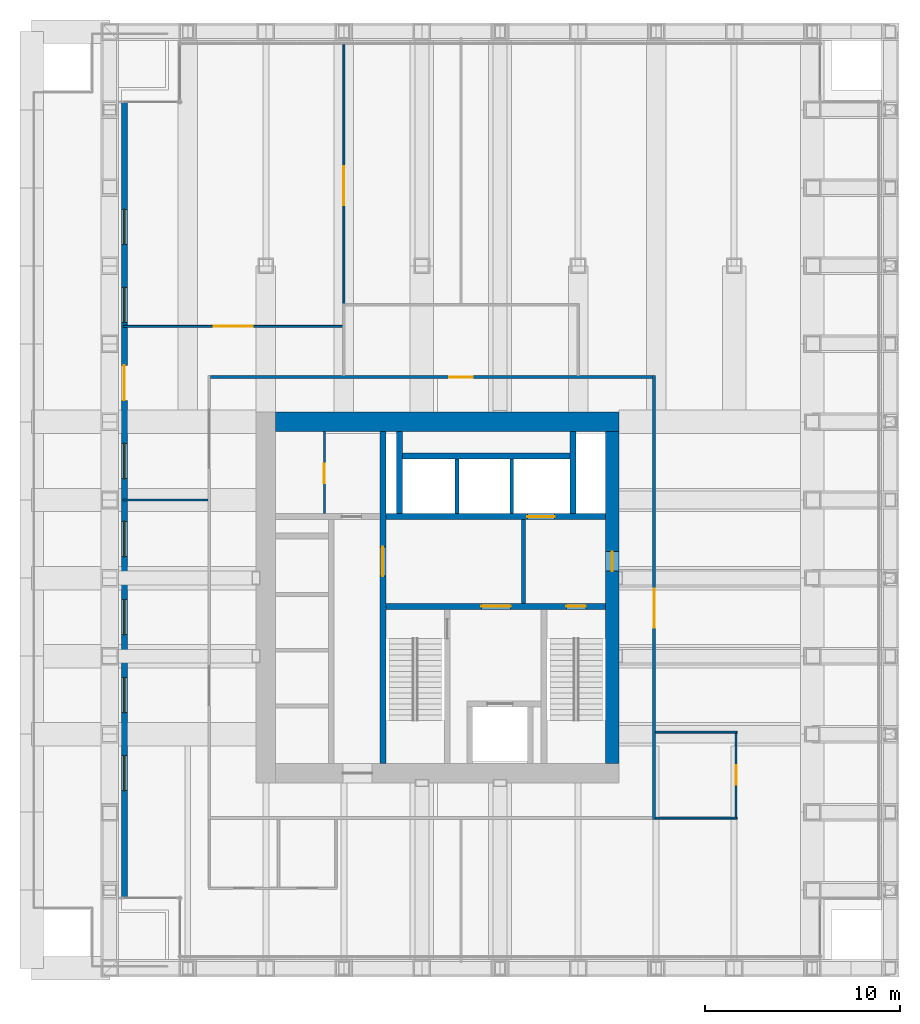
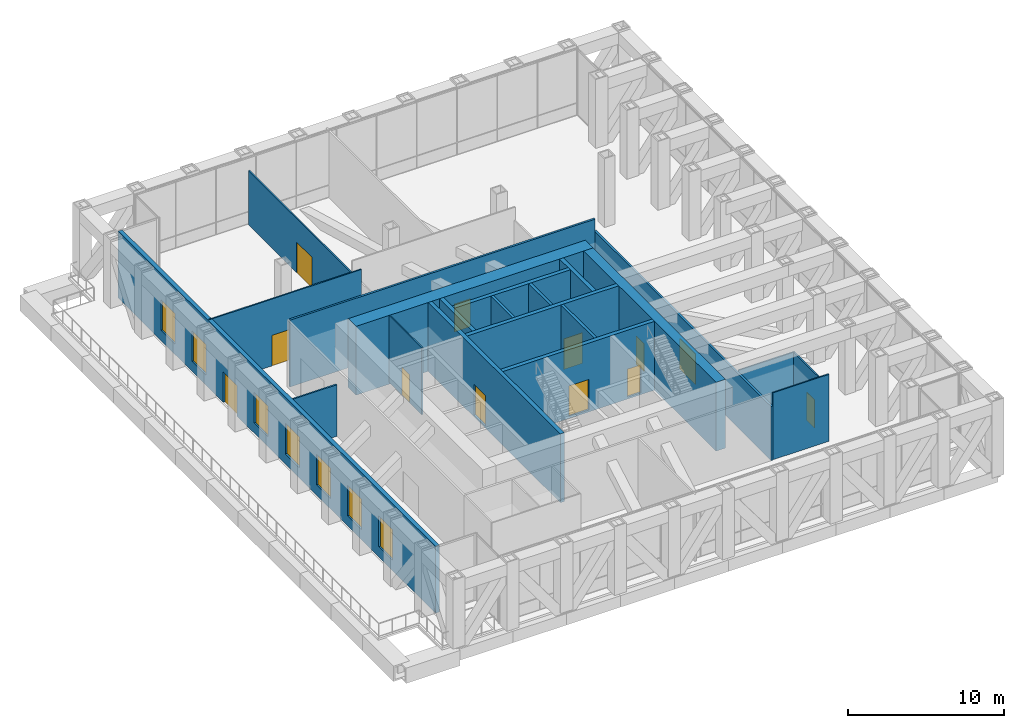
# One storey, part 10 of 12: 21 walls, 12 doors, 7 windows, 19 openings.
"""IFC4 building model written with IfcOpenShell, lengths in metres."""

from ifc_helpers import new_model, si_unit, direction, frame, frame_2d, origin, place, context, subcontext, project, spatial, rectangle, extrude, material, layer, layer_set, type_object, element, fill, save


model = new_model("IFC4")

# Units and contexts
model_context = context("Model", 3, precision=1e-05, world=origin(), true_north=direction((0.0, 1.0)))
body_context = subcontext(model_context, "Body", "Model", "MODEL_VIEW")
ifc_project = project(units=[si_unit("LENGTHUNIT", "METRE"), si_unit("AREAUNIT", "SQUARE_METRE"), si_unit("VOLUMEUNIT", "CUBIC_METRE"), si_unit("PLANEANGLEUNIT", "RADIAN"), si_unit("MASSUNIT", "GRAM", prefix="KILO")], contexts=[model_context])

# Site, building, storey
site_placement = place(None, origin())
site = spatial("IfcSite", under=ifc_project, at=site_placement, CompositionType="ELEMENT")
building_placement = place(site_placement, origin())
building = spatial("IfcBuilding", under=site, at=building_placement, Name="Rimbunsela Tower", CompositionType="ELEMENT")
storey_placement = place(building_placement, frame((0.0, 0.0, 203.800048828125)))
storey = spatial("IfcBuildingStorey", under=building, at=storey_placement, Name="L49", CompositionType="ELEMENT", Elevation=203.800048828125)

# Wall, opening, door
ifc_material_1 = material(Name="Concrete fc' 80 MPa", Category="concrete")
ifc_layer_1 = layer(ifc_material_1, 0.300048828125)
ifc_layer_set_1 = layer_set([ifc_layer_1], Name="Core internal wall 300")
wall_type_1 = type_object("IfcWallType", Name="Core internal wall 300", PredefinedType="SHEAR", material=ifc_layer_set_1)
wall_1_placement = place(storey_placement, frame((24.0, 18.5, -0.150146484375), z_axis=(0.0, 0.0, 1.0), x_axis=(0.0, 1.0, 0.0)))
wall_1 = element("IfcWall", 1, at=wall_1_placement, inside=storey, type_object=wall_type_1, Name="Core wall at stair A", PredefinedType="SHEAR", context=body_context, shape_type="SweptSolid", body=[
    extrude(rectangle(XDim=17.0, YDim=0.300048828125, at=frame_2d((8.5, 0.0))), origin(), (0.0, 0.0, 1.0), 5.400146484375),
])
opening_1_placement = place(wall_1_placement, frame((9.60009765625, 0.0, 0.14990234375)))
opening_1 = element("IfcOpeningElement", 2, at=opening_1_placement, cuts=wall_1, Name="Opening D03", PredefinedType="OPENING", context=body_context, shape_type="SweptSolid", body=[
    extrude(rectangle(XDim=1.5, YDim=2.39990234375, at=frame_2d((0.75, 1.199951171875))), frame((0.0, 0.159912109375, 0.0), z_axis=(0.0, -1.0, 0.0), x_axis=(1.0, 0.0, 0.0)), (0.0, 0.0, 1.0), 0.320068359375),
])
ifc_material_2 = material(Name="Steel door, fire rated", Category="steel")
door_type_1 = type_object("IfcDoorType", Name="Core lobby door 1500", OperationType="DOUBLE_DOOR_DOUBLE_SWING", PredefinedType="DOOR", material=ifc_material_2)
door_1_placement = place(opening_1_placement, origin())
door_1 = element("IfcDoor", 3, at=door_1_placement, inside=storey, type_object=door_type_1, Name="West lobby door", OperationType="DOUBLE_DOOR_DOUBLE_SWING", OverallHeight=2.39990234375, OverallWidth=1.5, PredefinedType="DOOR", context=body_context, shape_type="SweptSolid", body=[
    extrude(rectangle(XDim=1.5, YDim=2.39990234375, at=frame_2d((0.75, 1.199951171875))), frame((0.0, 0.02490234375, 0.0), z_axis=(0.0, -1.0, 0.0), x_axis=(1.0, 0.0, 0.0)), (0.0, 0.0, 1.0), 0.050048828125),
])
fill(opening_1, door_1)

# Wall, openings, doors
wall_2_placement = place(storey_placement, frame((24.14990234375, 26.550048828125, -0.150146484375), z_axis=(0.0, 0.0, 1.0), x_axis=(1.0, 0.0, 0.0)))
wall_2 = element("IfcWall", 4, at=wall_2_placement, inside=storey, type_object=wall_type_1, Name="Core wall lobby south", PredefinedType="SHEAR", context=body_context, shape_type="SweptSolid", body=[
    extrude(rectangle(XDim=11.25, YDim=0.300048828125, at=frame_2d((5.625, 0.0))), origin(), (0.0, 0.0, 1.0), 5.400146484375),
])
opening_2_placement = place(wall_2_placement, frame((9.25, 0.0, 0.14990234375)))
opening_2 = element("IfcOpeningElement", 5, at=opening_2_placement, cuts=wall_2, Name="Opening D01", PredefinedType="OPENING", context=body_context, shape_type="SweptSolid", body=[
    extrude(rectangle(XDim=1.0, YDim=2.199951171875, at=frame_2d((0.5, 1.10009765625))), frame((0.0, 0.159912109375, 0.0), z_axis=(0.0, -1.0, 0.0), x_axis=(1.0, 0.0, 0.0)), (0.0, 0.0, 1.0), 0.320068359375),
])
opening_3_placement = place(wall_2_placement, frame((4.89990234375, 0.0, 0.14990234375)))
opening_3 = element("IfcOpeningElement", 6, at=opening_3_placement, cuts=wall_2, Name="Opening D03", PredefinedType="OPENING", context=body_context, shape_type="SweptSolid", body=[
    extrude(rectangle(XDim=1.5, YDim=2.39990234375, at=frame_2d((0.75, 1.199951171875))), frame((0.0, 0.159912109375, 0.0), z_axis=(0.0, -1.0, 0.0), x_axis=(1.0, 0.0, 0.0)), (0.0, 0.0, 1.0), 0.320068359375),
])
door_2_placement = place(opening_3_placement, origin())
door_2 = element("IfcDoor", 7, at=door_2_placement, inside=storey, type_object=door_type_1, Name="Firefighting lobby door", OperationType="DOUBLE_DOOR_DOUBLE_SWING", OverallHeight=2.39990234375, OverallWidth=1.5, PredefinedType="DOOR", context=body_context, shape_type="SweptSolid", body=[
    extrude(rectangle(XDim=1.5, YDim=2.39990234375, at=frame_2d((0.75, 1.199951171875))), frame((0.0, 0.02490234375, 0.0), z_axis=(0.0, -1.0, 0.0), x_axis=(1.0, 0.0, 0.0)), (0.0, 0.0, 1.0), 0.050048828125),
])
fill(opening_3, door_2)
ifc_material_3 = material(Name="Steel door, fire rated", Category="steel")
door_type_2 = type_object("IfcDoorType", Name="Stair door 1000", OperationType="SINGLE_SWING_RIGHT", PredefinedType="DOOR", material=ifc_material_3)
door_3_placement = place(opening_2_placement, frame((1.0, 0.0, 0.0), z_axis=(0.0, 0.0, 1.0), x_axis=(-1.0, 0.0, 0.0)))
door_3 = element("IfcDoor", 8, at=door_3_placement, inside=storey, type_object=door_type_2, Name="Stair B door", OperationType="SINGLE_SWING_RIGHT", OverallHeight=2.199951171875, OverallWidth=1.0, PredefinedType="DOOR", context=body_context, shape_type="SweptSolid", body=[
    extrude(rectangle(XDim=1.0, YDim=2.199951171875, at=frame_2d((0.5, 1.10009765625))), frame((0.0, 0.02490234375, 0.0), z_axis=(0.0, -1.0, 0.0), x_axis=(1.0, 0.0, 0.0)), (0.0, 0.0, 1.0), 0.050048828125),
])
fill(opening_2, door_3)

# Wall, opening, door
wall_3_placement = place(storey_placement, frame((24.14990234375, 31.14990234375, -0.150146484375), z_axis=(0.0, 0.0, 1.0), x_axis=(1.0, 0.0, 0.0)))
wall_3 = element("IfcWall", 9, at=wall_3_placement, inside=storey, type_object=wall_type_1, Name="Lift shaft front north", PredefinedType="SHEAR", context=body_context, shape_type="SweptSolid", body=[
    extrude(rectangle(XDim=11.25, YDim=0.300048828125, at=frame_2d((5.625, 0.0))), origin(), (0.0, 0.0, 1.0), 5.400146484375),
])
opening_4_placement = place(wall_3_placement, frame((7.25, 0.0, 0.14990234375)))
opening_4 = element("IfcOpeningElement", 10, at=opening_4_placement, cuts=wall_3, Name="Opening LD3", PredefinedType="OPENING", context=body_context, shape_type="SweptSolid", body=[
    extrude(rectangle(XDim=1.39990234375, YDim=2.39990234375, at=frame_2d((0.699951171875, 1.199951171875))), frame((0.0, 0.159912109375, 0.0), z_axis=(0.0, -1.0, 0.0), x_axis=(1.0, 0.0, 0.0)), (0.0, 0.0, 1.0), 0.320068359375),
])
ifc_material_4 = material(Name="Steel door, fire rated", Category="steel")
door_type_3 = type_object("IfcDoorType", Name="Lift landing door 1400", OperationType="DOUBLE_DOOR_SLIDING", PredefinedType="DOOR", material=ifc_material_4)
door_4_placement = place(opening_4_placement, origin())
door_4 = element("IfcDoor", 11, at=door_4_placement, inside=storey, type_object=door_type_3, Name="Lift landing door FL2", OperationType="DOUBLE_DOOR_SLIDING", OverallHeight=2.39990234375, OverallWidth=1.39990234375, PredefinedType="DOOR", context=body_context, shape_type="SweptSolid", body=[
    extrude(rectangle(XDim=1.39990234375, YDim=2.39990234375, at=frame_2d((0.699951171875, 1.199951171875))), frame((0.0, 0.02490234375, 0.0), z_axis=(0.0, -1.0, 0.0), x_axis=(1.0, 0.0, 0.0)), (0.0, 0.0, 1.0), 0.050048828125),
])
fill(opening_4, door_4)

# Walls
for number, where, z_axis, x_axis, name in (
    (12, (24.85009765625, 31.300048828125, -0.150146484375), (0.0, 0.0, 1.0), (0.0, 1.0, 0.0), "Riser wall"),
    (13, (33.75, 31.300048828125, -0.150146484375), (0.0, 0.0, 1.0), (0.0, 1.0, 0.0), "Riser wall"),
):
    element("IfcWall", number, at=place(storey_placement, frame(where, z_axis=z_axis, x_axis=x_axis)), inside=storey, type_object=wall_type_1, Name=name, PredefinedType="SHEAR", context=body_context, shape_type="SweptSolid", body=[
        extrude(rectangle(XDim=4.199951171875, YDim=0.300048828125, at=frame_2d((2.10009765625, 0.0))), origin(), (0.0, 0.0, 1.0), 5.400146484375),
    ])
wall_4_placement = place(storey_placement, frame((25.0, 34.25, -0.150146484375), z_axis=(0.0, 0.0, 1.0), x_axis=(1.0, 0.0, 0.0)))
element("IfcWall", 14, at=wall_4_placement, inside=storey, type_object=wall_type_1, Name="Lift shaft rear north", PredefinedType="SHEAR", context=body_context, shape_type="SweptSolid", body=[
    extrude(rectangle(XDim=8.60009765625, YDim=0.300048828125, at=frame_2d((4.300048828125, 0.0))), origin(), (0.0, 0.0, 1.0), 5.400146484375),
])

# Wall, opening, door
ifc_material_5 = material(Name="Concrete blockwork", Category="masonry")
ifc_layer_2 = layer(ifc_material_5, 0.10009765625)
ifc_layer_set_2 = layer_set([ifc_layer_2], Name="Core room partition 100")
wall_type_2 = type_object("IfcWallType", Name="Core room partition 100", PredefinedType="PARTITIONING", material=ifc_layer_set_2)
wall_5_placement = place(storey_placement, frame((21.0, 31.300048828125, 0.0), z_axis=(0.0, 0.0, 1.0), x_axis=(0.0, 1.0, 0.0)))
wall_5 = element("IfcWall", 15, at=wall_5_placement, inside=storey, type_object=wall_type_2, Name="Equipment store wall", PredefinedType="PARTITIONING", context=body_context, shape_type="SweptSolid", body=[
    extrude(rectangle(XDim=4.199951171875, YDim=0.10009765625, at=frame_2d((2.10009765625, 0.0))), origin(), (0.0, 0.0, 1.0), 5.25),
])
opening_5_placement = place(wall_5_placement, frame((1.550048828125, 0.0, 0.0)))
opening_5 = element("IfcOpeningElement", 16, at=opening_5_placement, cuts=wall_5, Name="Opening D19", PredefinedType="OPENING", context=body_context, shape_type="SweptSolid", body=[
    extrude(rectangle(XDim=1.0, YDim=2.199951171875, at=frame_2d((0.5, 1.10009765625))), frame((0.0, 0.06005859375, 0.0), z_axis=(0.0, -1.0, 0.0), x_axis=(1.0, 0.0, 0.0)), (0.0, 0.0, 1.0), 0.1201171875),
])
ifc_material_6 = material(Name="Steel door, fire rated", Category="steel")
door_type_4 = type_object("IfcDoorType", Name="Service door 1000 fire rated", OperationType="SINGLE_SWING_LEFT", PredefinedType="DOOR", material=ifc_material_6)
door_5_placement = place(opening_5_placement, origin())
door_5 = element("IfcDoor", 17, at=door_5_placement, inside=storey, type_object=door_type_4, Name="Equipment store door", OperationType="SINGLE_SWING_LEFT", OverallHeight=2.199951171875, OverallWidth=1.0, PredefinedType="DOOR", context=body_context, shape_type="SweptSolid", body=[
    extrude(rectangle(XDim=1.0, YDim=2.199951171875, at=frame_2d((0.5, 1.10009765625))), frame((0.0, 0.02490234375, 0.0), z_axis=(0.0, -1.0, 0.0), x_axis=(1.0, 0.0, 0.0)), (0.0, 0.0, 1.0), 0.050048828125),
])
fill(opening_5, door_5)

# Wall
ifc_material_7 = material(Name="Concrete fc' 80 MPa", Category="concrete")
ifc_layer_3 = layer(ifc_material_7, 1.0)
ifc_layer_set_3 = layer_set([ifc_layer_3], Name="Core wall 1000")
wall_type_3 = type_object("IfcWallType", Name="Core wall 1000", PredefinedType="SHEAR", material=ifc_layer_set_3)
wall_6_placement = place(storey_placement, frame((18.5, 36.0, -0.150146484375), z_axis=(0.0, 0.0, 1.0), x_axis=(1.0, 0.0, 0.0)))
element("IfcWall", 18, at=wall_6_placement, inside=storey, type_object=wall_type_3, Name="Core wall north", PredefinedType="SHEAR", context=body_context, shape_type="SweptSolid", body=[
    extrude(rectangle(XDim=17.60009765625, YDim=1.0, at=frame_2d((8.800048828125, 0.0))), origin(), (0.0, 0.0, 1.0), 5.400146484375),
])

# Wall, opening, door
ifc_material_8 = material(Name="Concrete fc' 80 MPa", Category="concrete")
ifc_layer_4 = layer(ifc_material_8, 0.699951171875)
ifc_layer_set_4 = layer_set([ifc_layer_4], Name="Core wall 700 east")
wall_type_4 = type_object("IfcWallType", Name="Core wall 700 east", PredefinedType="SHEAR", material=ifc_layer_set_4)
wall_7_placement = place(storey_placement, frame((35.75, 18.5, -0.150146484375), z_axis=(0.0, 0.0, 1.0), x_axis=(0.0, 1.0, 0.0)))
wall_7 = element("IfcWall", 19, at=wall_7_placement, inside=storey, type_object=wall_type_4, Name="Core wall east", PredefinedType="SHEAR", context=body_context, shape_type="SweptSolid", body=[
    extrude(rectangle(XDim=17.0, YDim=0.699951171875, at=frame_2d((8.5, 0.0))), origin(), (0.0, 0.0, 1.0), 5.400146484375),
])
opening_6_placement = place(wall_7_placement, frame((9.85009765625, 0.0, 0.14990234375)))
opening_6 = element("IfcOpeningElement", 20, at=opening_6_placement, cuts=wall_7, Name="Opening D01", PredefinedType="OPENING", context=body_context, shape_type="SweptSolid", body=[
    extrude(rectangle(XDim=1.0, YDim=2.199951171875, at=frame_2d((0.5, 1.10009765625))), frame((0.0, 0.35986328125, 0.0), z_axis=(0.0, -1.0, 0.0), x_axis=(1.0, 0.0, 0.0)), (0.0, 0.0, 1.0), 0.719970703125),
])
door_6_placement = place(opening_6_placement, origin())
door_6 = element("IfcDoor", 21, at=door_6_placement, inside=storey, type_object=door_type_2, Name="Firefighting lobby 2 door", OperationType="SINGLE_SWING_RIGHT", OverallHeight=2.199951171875, OverallWidth=1.0, PredefinedType="DOOR", context=body_context, shape_type="SweptSolid", body=[
    extrude(rectangle(XDim=1.0, YDim=2.199951171875, at=frame_2d((0.5, 1.10009765625))), frame((0.0, 0.02490234375, 0.0), z_axis=(0.0, -1.0, 0.0), x_axis=(1.0, 0.0, 0.0)), (0.0, 0.0, 1.0), 0.050048828125),
])
fill(opening_6, door_6)

# Walls
ifc_material_9 = material(Name="Concrete blockwork", Category="masonry")
ifc_layer_5 = layer(ifc_material_9, 0.199951171875)
ifc_layer_set_5 = layer_set([ifc_layer_5], Name="Lift shaft wall 200")
wall_type_5 = type_object("IfcWallType", Name="Lift shaft wall 200", PredefinedType="SOLIDWALL", material=ifc_layer_set_5)
for number, where, z_axis, x_axis, name in (
    (22, (27.800048828125, 31.300048828125, -0.150146484375), (0.0, 0.0, 1.0), (0.0, 1.0, 0.0), "Lift shaft separation"),
    (23, (30.60009765625, 31.300048828125, -0.150146484375), (0.0, 0.0, 1.0), (0.0, 1.0, 0.0), "Lift shaft separation"),
):
    element("IfcWall", number, at=place(storey_placement, frame(where, z_axis=z_axis, x_axis=x_axis)), inside=storey, type_object=wall_type_5, Name=name, PredefinedType="SOLIDWALL", context=body_context, shape_type="SweptSolid", body=[
        extrude(rectangle(XDim=2.800048828125, YDim=0.199951171875, at=frame_2d((1.39990234375, 0.0))), origin(), (0.0, 0.0, 1.0), 5.400146484375),
    ])
wall_8_placement = place(storey_placement, frame((31.199951171875, 26.699951171875, 0.0), z_axis=(0.0, 0.0, 1.0), x_axis=(0.0, 1.0, 0.0)))
element("IfcWall", 24, at=wall_8_placement, inside=storey, type_object=wall_type_5, Name="Firefighting lobby 2 wall", PredefinedType="SOLIDWALL", context=body_context, shape_type="SweptSolid", body=[
    extrude(rectangle(XDim=4.300048828125, YDim=0.199951171875, at=frame_2d((2.14990234375, 0.0))), origin(), (0.0, 0.0, 1.0), 5.25),
])
ifc_material_10 = material(Name="Gypsum board on steel studs", Category="steel")
ifc_layer_6 = layer(ifc_material_10, 0.10009765625)
ifc_layer_set_6 = layer_set([ifc_layer_6], Name="Office partition 100")
wall_type_6 = type_object("IfcWallType", Name="Office partition 100", PredefinedType="PARTITIONING", material=ifc_layer_set_6)
wall_9_placement = place(storey_placement, frame((37.97509765625, 15.699951171875, 0.0), z_axis=(0.0, 0.0, 1.0), x_axis=(1.0, 0.0, 0.0)))
element("IfcWall", 25, at=wall_9_placement, inside=storey, type_object=wall_type_6, Name="Office partition", PredefinedType="PARTITIONING", context=body_context, shape_type="SweptSolid", body=[
    extrude(rectangle(XDim=4.1748046875, YDim=0.10009765625, at=frame_2d((2.08740234375, 0.0))), origin(), (0.0, 0.0, 1.0), 5.25),
])
wall_10_placement = place(storey_placement, frame((37.97509765625, 20.10009765625, 0.0), z_axis=(0.0, 0.0, 1.0), x_axis=(1.0, 0.0, 0.0)))
element("IfcWall", 26, at=wall_10_placement, inside=storey, type_object=wall_type_6, Name="Office partition", PredefinedType="PARTITIONING", context=body_context, shape_type="SweptSolid", body=[
    extrude(rectangle(XDim=4.1748046875, YDim=0.10009765625, at=frame_2d((2.08740234375, 0.0))), origin(), (0.0, 0.0, 1.0), 4.349853515625),
])

# Wall, opening, door
wall_11_placement = place(storey_placement, frame((42.10009765625, 15.75, 0.0), z_axis=(0.0, 0.0, 1.0), x_axis=(0.0, 1.0, 0.0)))
wall_11 = element("IfcWall", 27, at=wall_11_placement, inside=storey, type_object=wall_type_6, Name="Office partition", PredefinedType="PARTITIONING", context=body_context, shape_type="SweptSolid", body=[
    extrude(rectangle(XDim=4.300048828125, YDim=0.10009765625, at=frame_2d((2.14990234375, 0.0))), origin(), (0.0, 0.0, 1.0), 4.349853515625),
])
opening_7_placement = place(wall_11_placement, frame((1.64990234375, 0.0, 0.0)))
opening_7 = element("IfcOpeningElement", 28, at=opening_7_placement, cuts=wall_11, Name="Opening D16", PredefinedType="OPENING", context=body_context, shape_type="SweptSolid", body=[
    extrude(rectangle(XDim=1.0, YDim=2.199951171875, at=frame_2d((0.5, 1.10009765625))), frame((0.0, 0.06005859375, 0.0), z_axis=(0.0, -1.0, 0.0), x_axis=(1.0, 0.0, 0.0)), (0.0, 0.0, 1.0), 0.1201171875),
])
ifc_material_11 = material(Name="Timber door", Category="wood")
door_type_5 = type_object("IfcDoorType", Name="Office door 1000", OperationType="SINGLE_SWING_LEFT", PredefinedType="DOOR", material=ifc_material_11)
door_7_placement = place(opening_7_placement, origin())
door_7 = element("IfcDoor", 29, at=door_7_placement, inside=storey, type_object=door_type_5, Name="Office door", OperationType="SINGLE_SWING_LEFT", OverallHeight=2.199951171875, OverallWidth=1.0, PredefinedType="DOOR", context=body_context, shape_type="SweptSolid", body=[
    extrude(rectangle(XDim=1.0, YDim=2.199951171875, at=frame_2d((0.5, 1.10009765625))), frame((0.0, 0.02490234375, 0.0), z_axis=(0.0, -1.0, 0.0), x_axis=(1.0, 0.0, 0.0)), (0.0, 0.0, 1.0), 0.050048828125),
])
fill(opening_7, door_7)

wall_12_placement = place(storey_placement, frame((22.0, 40.90087890625, 0.0), z_axis=(0.0, 0.0, 1.0), x_axis=(-1.0, 0.0, 0.0)))
wall_12 = element("IfcWall", 30, at=wall_12_placement, inside=storey, type_object=wall_type_6, Name="Plant room partition", PredefinedType="PARTITIONING", context=body_context, shape_type="SweptSolid", body=[
    extrude(rectangle(XDim=11.320068359375, YDim=0.10009765625, at=frame_2d((5.66015625, 0.0))), origin(), (0.0, 0.0, 1.0), 5.25),
])
opening_8_placement = place(wall_12_placement, frame((4.659912109375, 0.0, 0.0)))
opening_8 = element("IfcOpeningElement", 31, at=opening_8_placement, cuts=wall_12, Name="Opening D08", PredefinedType="OPENING", context=body_context, shape_type="SweptSolid", body=[
    extrude(rectangle(XDim=2.0, YDim=2.39990234375, at=frame_2d((1.0, 1.199951171875))), frame((0.0, 0.06005859375, 0.0), z_axis=(0.0, -1.0, 0.0), x_axis=(1.0, 0.0, 0.0)), (0.0, 0.0, 1.0), 0.1201171875),
])
ifc_material_12 = material(Name="Steel door, fire rated", Category="steel")
door_type_6 = type_object("IfcDoorType", Name="Plant room door 2000", OperationType="DOUBLE_DOOR_DOUBLE_SWING", PredefinedType="DOOR", material=ifc_material_12)
door_8_placement = place(opening_8_placement, origin())
door_8 = element("IfcDoor", 32, at=door_8_placement, inside=storey, type_object=door_type_6, Name="Plant room door", OperationType="DOUBLE_DOOR_DOUBLE_SWING", OverallHeight=2.39990234375, OverallWidth=2.0, PredefinedType="DOOR", context=body_context, shape_type="SweptSolid", body=[
    extrude(rectangle(XDim=2.0, YDim=2.39990234375, at=frame_2d((1.0, 1.199951171875))), frame((0.0, 0.02490234375, 0.0), z_axis=(0.0, -1.0, 0.0), x_axis=(1.0, 0.0, 0.0)), (0.0, 0.0, 1.0), 0.050048828125),
])
fill(opening_8, door_8)

wall_13_placement = place(storey_placement, frame((21.9990234375, 55.320068359375, 0.0), z_axis=(0.0, 0.0, 1.0), x_axis=(0.0, -1.0, 0.0)))
wall_13 = element("IfcWall", 33, at=wall_13_placement, inside=storey, type_object=wall_type_6, Name="Plant room partition", PredefinedType="PARTITIONING", context=body_context, shape_type="SweptSolid", body=[
    extrude(rectangle(XDim=14.419189453125, YDim=0.10009765625, at=frame_2d((7.20947265625, 0.0))), origin(), (0.0, 0.0, 1.0), 4.25),
])
opening_9_placement = place(wall_13_placement, frame((6.20947265625, 0.0, 0.0)))
opening_9 = element("IfcOpeningElement", 34, at=opening_9_placement, cuts=wall_13, Name="Opening D08", PredefinedType="OPENING", context=body_context, shape_type="SweptSolid", body=[
    extrude(rectangle(XDim=2.0, YDim=2.39990234375, at=frame_2d((1.0, 1.199951171875))), frame((0.0, 0.06005859375, 0.0), z_axis=(0.0, -1.0, 0.0), x_axis=(1.0, 0.0, 0.0)), (0.0, 0.0, 1.0), 0.1201171875),
])
door_9_placement = place(opening_9_placement, origin())
door_9 = element("IfcDoor", 35, at=door_9_placement, inside=storey, type_object=door_type_6, Name="Plant room door", OperationType="DOUBLE_DOOR_DOUBLE_SWING", OverallHeight=2.39990234375, OverallWidth=2.0, PredefinedType="DOOR", context=body_context, shape_type="SweptSolid", body=[
    extrude(rectangle(XDim=2.0, YDim=2.39990234375, at=frame_2d((1.0, 1.199951171875))), frame((0.0, 0.02490234375, 0.0), z_axis=(0.0, -1.0, 0.0), x_axis=(1.0, 0.0, 0.0)), (0.0, 0.0, 1.0), 0.050048828125),
])
fill(opening_9, door_9)

ifc_material_13 = material(Name="Fire-rated gypsum board on steel studs, EI 60", Category="steel")
ifc_layer_7 = layer(ifc_material_13, 0.14990234375)
ifc_layer_set_7 = layer_set([ifc_layer_7], Name="Rated corridor wall 150")
wall_type_7 = type_object("IfcWallType", Name="Rated corridor wall 150", PredefinedType="PARTITIONING", material=ifc_layer_set_7)
wall_14_placement = place(storey_placement, frame((37.89990234375, 15.625, 0.0), z_axis=(0.0, 0.0, 1.0), x_axis=(0.0, 1.0, 0.0)))
wall_14 = element("IfcWall", 36, at=wall_14_placement, inside=storey, type_object=wall_type_7, Name="Corridor wall east", PredefinedType="PARTITIONING", context=body_context, shape_type="SweptSolid", body=[
    extrude(rectangle(XDim=22.75, YDim=0.14990234375, at=frame_2d((11.375, 0.0))), origin(), (0.0, 0.0, 1.0), 4.25),
])
opening_10_placement = place(wall_14_placement, frame((9.824951171875, 0.0, 0.0)))
opening_10 = element("IfcOpeningElement", 37, at=opening_10_placement, cuts=wall_14, Name="Opening D08", PredefinedType="OPENING", context=body_context, shape_type="SweptSolid", body=[
    extrude(rectangle(XDim=2.0, YDim=2.39990234375, at=frame_2d((1.0, 1.199951171875))), frame((0.0, 0.0849609375, 0.0), z_axis=(0.0, -1.0, 0.0), x_axis=(1.0, 0.0, 0.0)), (0.0, 0.0, 1.0), 0.169921875),
])
door_10_placement = place(opening_10_placement, origin())
door_10 = element("IfcDoor", 38, at=door_10_placement, inside=storey, type_object=door_type_6, Name="Refuge area door", OperationType="DOUBLE_DOOR_DOUBLE_SWING", OverallHeight=2.39990234375, OverallWidth=2.0, PredefinedType="DOOR", context=body_context, shape_type="SweptSolid", body=[
    extrude(rectangle(XDim=2.0, YDim=2.39990234375, at=frame_2d((1.0, 1.199951171875))), frame((0.0, 0.02490234375, 0.0), z_axis=(0.0, -1.0, 0.0), x_axis=(1.0, 0.0, 0.0)), (0.0, 0.0, 1.0), 0.050048828125),
])
fill(opening_10, door_10)

wall_15_placement = place(storey_placement, frame((15.175048828125, 38.300048828125, 0.0), z_axis=(0.0, 0.0, 1.0), x_axis=(1.0, 0.0, 0.0)))
wall_15 = element("IfcWall", 39, at=wall_15_placement, inside=storey, type_object=wall_type_7, Name="Corridor wall north", PredefinedType="PARTITIONING", context=body_context, shape_type="SweptSolid", body=[
    extrude(rectangle(XDim=22.64990234375, YDim=0.14990234375, at=frame_2d((11.324951171875, 0.0))), origin(), (0.0, 0.0, 1.0), 5.25),
])
opening_11_placement = place(wall_15_placement, frame((12.22509765625, 0.0, 0.0)))
opening_11 = element("IfcOpeningElement", 40, at=opening_11_placement, cuts=wall_15, Name="Opening D10", PredefinedType="OPENING", context=body_context, shape_type="SweptSolid", body=[
    extrude(rectangle(XDim=1.199951171875, YDim=2.199951171875, at=frame_2d((0.60009765625, 1.10009765625))), frame((0.0, 0.0849609375, 0.0), z_axis=(0.0, -1.0, 0.0), x_axis=(1.0, 0.0, 0.0)), (0.0, 0.0, 1.0), 0.169921875),
])
ifc_material_14 = material(Name="Steel door, fire rated", Category="steel")
door_type_7 = type_object("IfcDoorType", Name="Switch room door 1200", OperationType="DOUBLE_DOOR_DOUBLE_SWING", PredefinedType="DOOR", material=ifc_material_14)
door_11_placement = place(opening_11_placement, origin())
door_11 = element("IfcDoor", 41, at=door_11_placement, inside=storey, type_object=door_type_7, Name="Switch room door", OperationType="DOUBLE_DOOR_DOUBLE_SWING", OverallHeight=2.199951171875, OverallWidth=1.199951171875, PredefinedType="DOOR", context=body_context, shape_type="SweptSolid", body=[
    extrude(rectangle(XDim=1.199951171875, YDim=2.199951171875, at=frame_2d((0.60009765625, 1.10009765625))), frame((0.0, 0.02490234375, 0.0), z_axis=(0.0, -1.0, 0.0), x_axis=(1.0, 0.0, 0.0)), (0.0, 0.0, 1.0), 0.050048828125),
])
fill(opening_11, door_11)

# Wall
ifc_material_15 = material(Name="Gypsum board on steel studs", Category="steel")
ifc_layer_8 = layer(ifc_material_15, 0.1201171875)
ifc_layer_set_8 = layer_set([ifc_layer_8], Name="Tenancy partition 120")
wall_type_8 = type_object("IfcWallType", Name="Tenancy partition 120", PredefinedType="PARTITIONING", material=ifc_layer_set_8)
wall_16_placement = place(storey_placement, frame((10.679931640625, 32.0, 0.0), z_axis=(0.0, 0.0, 1.0), x_axis=(1.0, 0.0, 0.0)))
element("IfcWall", 42, at=wall_16_placement, inside=storey, type_object=wall_type_8, Name="Tenancy partition", PredefinedType="PARTITIONING", context=body_context, shape_type="SweptSolid", body=[
    extrude(rectangle(XDim=4.344970703125, YDim=0.1201171875, at=frame_2d((2.17236328125, 0.0))), origin(), (0.0, 0.0, 1.0), 4.050048828125),
])

# Wall, openings, door, windows
ifc_material_16 = material(Name="Precast concrete fc' 35 MPa", Category="concrete")
ifc_layer_9 = layer(ifc_material_16, 0.300048828125)
ifc_layer_set_9 = layer_set([ifc_layer_9], Name="Terrace wall 300")
wall_type_9 = type_object("IfcWallType", Name="Terrace wall 300", PredefinedType="ELEMENTEDWALL", material=ifc_layer_set_9)
wall_17_placement = place(storey_placement, frame((10.75, 52.39990234375, 0.0), z_axis=(0.0, 0.0, 1.0), x_axis=(0.0, -1.0, 0.0)))
wall_17 = element("IfcWall", 43, at=wall_17_placement, inside=storey, type_object=wall_type_9, Name="Terrace wall W L49", PredefinedType="ELEMENTEDWALL", context=body_context, shape_type="SweptSolid", body=[
    extrude(rectangle(XDim=40.7998046875, YDim=0.300048828125, at=frame_2d((20.39990234375, 0.0))), origin(), (0.0, 0.0, 1.0), 5.25),
])
opening_12_placement = place(wall_17_placement, frame((33.5, 0.0, 0.800048828125)))
opening_12 = element("IfcOpeningElement", 44, at=opening_12_placement, cuts=wall_17, Name="Opening W3", PredefinedType="OPENING", context=body_context, shape_type="SweptSolid", body=[
    extrude(rectangle(XDim=1.800048828125, YDim=2.39990234375, at=frame_2d((0.89990234375, 1.199951171875))), frame((0.0, 0.159912109375, 0.0), z_axis=(0.0, -1.0, 0.0), x_axis=(1.0, 0.0, 0.0)), (0.0, 0.0, 1.0), 0.320068359375),
])
opening_13_placement = place(wall_17_placement, frame((29.5, 0.0, 0.800048828125)))
opening_13 = element("IfcOpeningElement", 45, at=opening_13_placement, cuts=wall_17, Name="Opening W3", PredefinedType="OPENING", context=body_context, shape_type="SweptSolid", body=[
    extrude(rectangle(XDim=1.800048828125, YDim=2.39990234375, at=frame_2d((0.89990234375, 1.199951171875))), frame((0.0, 0.159912109375, 0.0), z_axis=(0.0, -1.0, 0.0), x_axis=(1.0, 0.0, 0.0)), (0.0, 0.0, 1.0), 0.320068359375),
])
opening_14_placement = place(wall_17_placement, frame((25.5, 0.0, 0.800048828125)))
opening_14 = element("IfcOpeningElement", 46, at=opening_14_placement, cuts=wall_17, Name="Opening W3", PredefinedType="OPENING", context=body_context, shape_type="SweptSolid", body=[
    extrude(rectangle(XDim=1.800048828125, YDim=2.39990234375, at=frame_2d((0.89990234375, 1.199951171875))), frame((0.0, 0.159912109375, 0.0), z_axis=(0.0, -1.0, 0.0), x_axis=(1.0, 0.0, 0.0)), (0.0, 0.0, 1.0), 0.320068359375),
])
opening_15_placement = place(wall_17_placement, frame((21.5, 0.0, 0.800048828125)))
opening_15 = element("IfcOpeningElement", 47, at=opening_15_placement, cuts=wall_17, Name="Opening W3", PredefinedType="OPENING", context=body_context, shape_type="SweptSolid", body=[
    extrude(rectangle(XDim=1.800048828125, YDim=2.39990234375, at=frame_2d((0.89990234375, 1.199951171875))), frame((0.0, 0.159912109375, 0.0), z_axis=(0.0, -1.0, 0.0), x_axis=(1.0, 0.0, 0.0)), (0.0, 0.0, 1.0), 0.320068359375),
])
opening_16_placement = place(wall_17_placement, frame((17.5, 0.0, 0.800048828125)))
opening_16 = element("IfcOpeningElement", 48, at=opening_16_placement, cuts=wall_17, Name="Opening W3", PredefinedType="OPENING", context=body_context, shape_type="SweptSolid", body=[
    extrude(rectangle(XDim=1.800048828125, YDim=2.39990234375, at=frame_2d((0.89990234375, 1.199951171875))), frame((0.0, 0.159912109375, 0.0), z_axis=(0.0, -1.0, 0.0), x_axis=(1.0, 0.0, 0.0)), (0.0, 0.0, 1.0), 0.320068359375),
])
opening_17_placement = place(wall_17_placement, frame((13.5, 0.0, 0.0)))
opening_17 = element("IfcOpeningElement", 49, at=opening_17_placement, cuts=wall_17, Name="Opening TD2", PredefinedType="OPENING", context=body_context, shape_type="SweptSolid", body=[
    extrude(rectangle(XDim=1.800048828125, YDim=2.39990234375, at=frame_2d((0.89990234375, 1.199951171875))), frame((0.0, 0.159912109375, 0.0), z_axis=(0.0, -1.0, 0.0), x_axis=(1.0, 0.0, 0.0)), (0.0, 0.0, 1.0), 0.320068359375),
])
opening_18_placement = place(wall_17_placement, frame((9.5, 0.0, 0.800048828125)))
opening_18 = element("IfcOpeningElement", 50, at=opening_18_placement, cuts=wall_17, Name="Opening W3", PredefinedType="OPENING", context=body_context, shape_type="SweptSolid", body=[
    extrude(rectangle(XDim=1.800048828125, YDim=2.39990234375, at=frame_2d((0.89990234375, 1.199951171875))), frame((0.0, 0.159912109375, 0.0), z_axis=(0.0, -1.0, 0.0), x_axis=(1.0, 0.0, 0.0)), (0.0, 0.0, 1.0), 0.320068359375),
])
opening_19_placement = place(wall_17_placement, frame((5.5, 0.0, 0.800048828125)))
opening_19 = element("IfcOpeningElement", 51, at=opening_19_placement, cuts=wall_17, Name="Opening W3", PredefinedType="OPENING", context=body_context, shape_type="SweptSolid", body=[
    extrude(rectangle(XDim=1.800048828125, YDim=2.39990234375, at=frame_2d((0.89990234375, 1.199951171875))), frame((0.0, 0.159912109375, 0.0), z_axis=(0.0, -1.0, 0.0), x_axis=(1.0, 0.0, 0.0)), (0.0, 0.0, 1.0), 0.320068359375),
])
ifc_material_17 = material(Name="Steel door", Category="steel")
door_type_8 = type_object("IfcDoorType", Name="Maintenance access door 1800", OperationType="DOUBLE_DOOR_SINGLE_SWING", PredefinedType="DOOR", material=ifc_material_17)
door_12_placement = place(opening_17_placement, origin())
door_12 = element("IfcDoor", 52, at=door_12_placement, inside=storey, type_object=door_type_8, Name="Maintenance access door", OperationType="DOUBLE_DOOR_SINGLE_SWING", OverallHeight=2.39990234375, OverallWidth=1.800048828125, PredefinedType="DOOR", context=body_context, shape_type="SweptSolid", body=[
    extrude(rectangle(XDim=1.800048828125, YDim=2.39990234375, at=frame_2d((0.89990234375, 1.199951171875))), frame((0.0, 0.02490234375, 0.0), z_axis=(0.0, -1.0, 0.0), x_axis=(1.0, 0.0, 0.0)), (0.0, 0.0, 1.0), 0.050048828125),
])
fill(opening_17, door_12)
ifc_material_18 = material(Name="Clear glass in aluminium frame", Category="aluminium")
window_type = type_object("IfcWindowType", Name="Window W3 1800x2400", PartitioningType="SINGLE_PANEL", PredefinedType="WINDOW", material=ifc_material_18)
window_1_placement = place(opening_12_placement, origin())
window_1 = element("IfcWindow", 53, at=window_1_placement, inside=storey, type_object=window_type, Name="Window L49", OverallHeight=2.39990234375, OverallWidth=1.800048828125, PartitioningType="SINGLE_PANEL", PredefinedType="WINDOW", context=body_context, shape_type="SweptSolid", body=[
    extrude(rectangle(XDim=1.800048828125, YDim=2.39990234375, at=frame_2d((0.89990234375, 1.199951171875))), frame((0.0, 0.030029296875, 0.0), z_axis=(0.0, -1.0, 0.0), x_axis=(1.0, 0.0, 0.0)), (0.0, 0.0, 1.0), 0.06005859375),
])
fill(opening_12, window_1)
window_2_placement = place(opening_13_placement, origin())
window_2 = element("IfcWindow", 54, at=window_2_placement, inside=storey, type_object=window_type, Name="Window L49", OverallHeight=2.39990234375, OverallWidth=1.800048828125, PartitioningType="SINGLE_PANEL", PredefinedType="WINDOW", context=body_context, shape_type="SweptSolid", body=[
    extrude(rectangle(XDim=1.800048828125, YDim=2.39990234375, at=frame_2d((0.89990234375, 1.199951171875))), frame((0.0, 0.030029296875, 0.0), z_axis=(0.0, -1.0, 0.0), x_axis=(1.0, 0.0, 0.0)), (0.0, 0.0, 1.0), 0.06005859375),
])
fill(opening_13, window_2)
window_3_placement = place(opening_14_placement, origin())
window_3 = element("IfcWindow", 55, at=window_3_placement, inside=storey, type_object=window_type, Name="Window L49", OverallHeight=2.39990234375, OverallWidth=1.800048828125, PartitioningType="SINGLE_PANEL", PredefinedType="WINDOW", context=body_context, shape_type="SweptSolid", body=[
    extrude(rectangle(XDim=1.800048828125, YDim=2.39990234375, at=frame_2d((0.89990234375, 1.199951171875))), frame((0.0, 0.030029296875, 0.0), z_axis=(0.0, -1.0, 0.0), x_axis=(1.0, 0.0, 0.0)), (0.0, 0.0, 1.0), 0.06005859375),
])
fill(opening_14, window_3)
window_4_placement = place(opening_15_placement, origin())
window_4 = element("IfcWindow", 56, at=window_4_placement, inside=storey, type_object=window_type, Name="Window L49", OverallHeight=2.39990234375, OverallWidth=1.800048828125, PartitioningType="SINGLE_PANEL", PredefinedType="WINDOW", context=body_context, shape_type="SweptSolid", body=[
    extrude(rectangle(XDim=1.800048828125, YDim=2.39990234375, at=frame_2d((0.89990234375, 1.199951171875))), frame((0.0, 0.030029296875, 0.0), z_axis=(0.0, -1.0, 0.0), x_axis=(1.0, 0.0, 0.0)), (0.0, 0.0, 1.0), 0.06005859375),
])
fill(opening_15, window_4)
window_5_placement = place(opening_16_placement, origin())
window_5 = element("IfcWindow", 57, at=window_5_placement, inside=storey, type_object=window_type, Name="Window L49", OverallHeight=2.39990234375, OverallWidth=1.800048828125, PartitioningType="SINGLE_PANEL", PredefinedType="WINDOW", context=body_context, shape_type="SweptSolid", body=[
    extrude(rectangle(XDim=1.800048828125, YDim=2.39990234375, at=frame_2d((0.89990234375, 1.199951171875))), frame((0.0, 0.030029296875, 0.0), z_axis=(0.0, -1.0, 0.0), x_axis=(1.0, 0.0, 0.0)), (0.0, 0.0, 1.0), 0.06005859375),
])
fill(opening_16, window_5)
window_6_placement = place(opening_18_placement, origin())
window_6 = element("IfcWindow", 58, at=window_6_placement, inside=storey, type_object=window_type, Name="Window L49", OverallHeight=2.39990234375, OverallWidth=1.800048828125, PartitioningType="SINGLE_PANEL", PredefinedType="WINDOW", context=body_context, shape_type="SweptSolid", body=[
    extrude(rectangle(XDim=1.800048828125, YDim=2.39990234375, at=frame_2d((0.89990234375, 1.199951171875))), frame((0.0, 0.030029296875, 0.0), z_axis=(0.0, -1.0, 0.0), x_axis=(1.0, 0.0, 0.0)), (0.0, 0.0, 1.0), 0.06005859375),
])
fill(opening_18, window_6)
window_7_placement = place(opening_19_placement, origin())
window_7 = element("IfcWindow", 59, at=window_7_placement, inside=storey, type_object=window_type, Name="Window L49", OverallHeight=2.39990234375, OverallWidth=1.800048828125, PartitioningType="SINGLE_PANEL", PredefinedType="WINDOW", context=body_context, shape_type="SweptSolid", body=[
    extrude(rectangle(XDim=1.800048828125, YDim=2.39990234375, at=frame_2d((0.89990234375, 1.199951171875))), frame((0.0, 0.030029296875, 0.0), z_axis=(0.0, -1.0, 0.0), x_axis=(1.0, 0.0, 0.0)), (0.0, 0.0, 1.0), 0.06005859375),
])
fill(opening_19, window_7)

save(model, "model.ifc")
